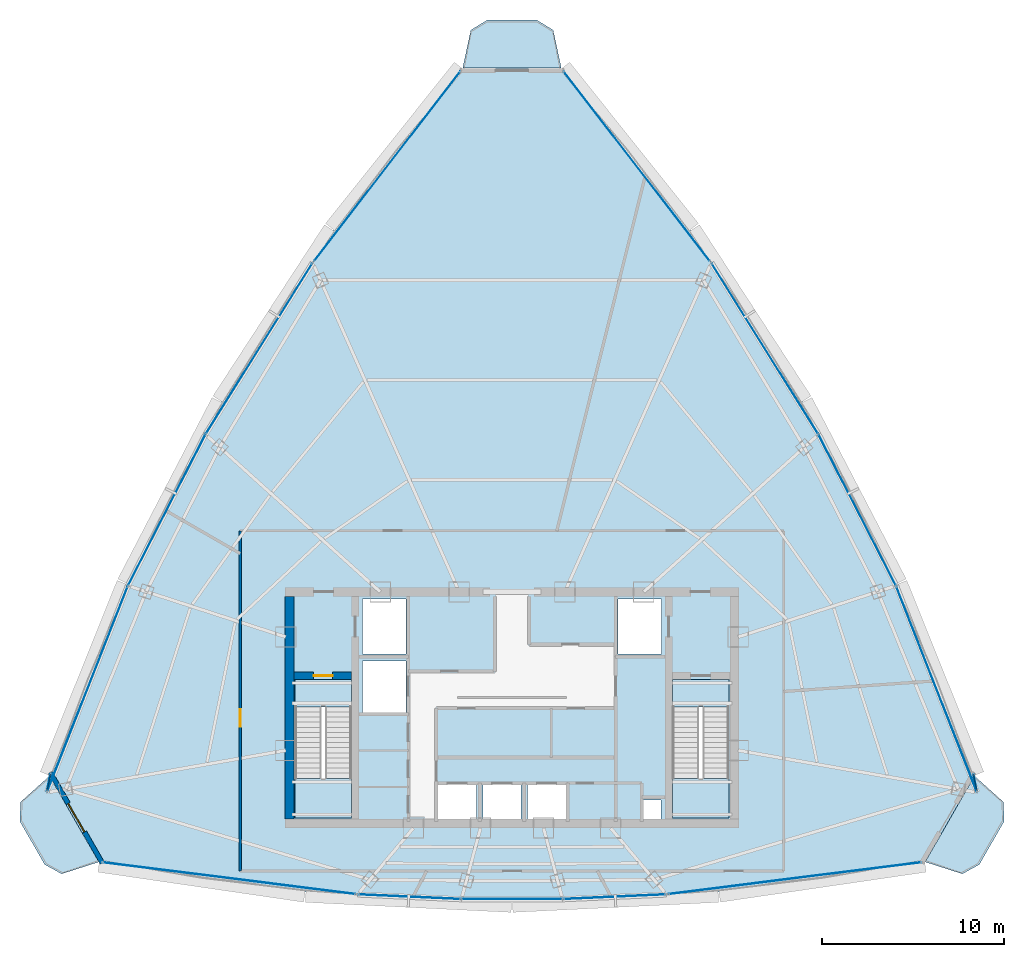
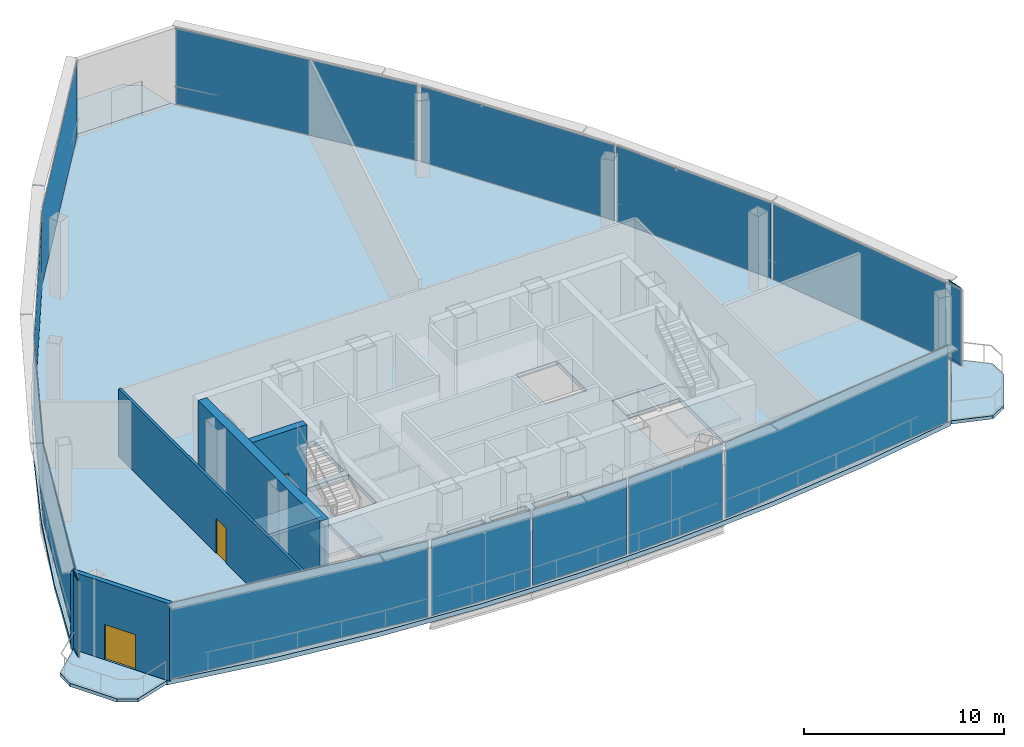
# One storey, part 23 of 29: 15 plates, 8 slabs, 4 members, 4 walls, 3 doors, 3 openings, 17 elements without a shape of their own.
"""IFC4 building model written with IfcOpenShell, lengths in metres."""

from ifc_helpers import new_model, si_unit, direction, frame, frame_2d, origin, origin_with_axes, origin_2d, place, context, subcontext, project, spatial, polyline, rectangle, hollow_rectangle, outline, extrude, source, transform, mapped, material, layer, layer_set, material_profile, profile_set, type_object, element, fill, aggregate, save


model = new_model("IFC4")

# Units and contexts
model_context = context("Model", 3, precision=1e-05, world=origin(), true_north=direction((0.0, 1.0)))
body_context = subcontext(model_context, "Body", "Model", "MODEL_VIEW")
ifc_project = project(units=[si_unit("LENGTHUNIT", "METRE"), si_unit("AREAUNIT", "SQUARE_METRE"), si_unit("VOLUMEUNIT", "CUBIC_METRE"), si_unit("PLANEANGLEUNIT", "RADIAN"), si_unit("MASSUNIT", "GRAM", prefix="KILO"), si_unit("THERMODYNAMICTEMPERATUREUNIT", "KELVIN"), si_unit("POWERUNIT", "WATT")], contexts=[model_context])

# Site, building, storey
site_placement = place(None, origin())
site = spatial("IfcSite", under=ifc_project, at=site_placement, CompositionType="ELEMENT")
building_placement = place(site_placement, origin())
building = spatial("IfcBuilding", under=site, at=building_placement, Name="Yunzhuo Pagoda Commons", CompositionType="ELEMENT")
storey_placement = place(building_placement, frame((0.0, 0.0, 366.760009765625)))
storey = spatial("IfcBuildingStorey", under=building, at=storey_placement, Name="L92", CompositionType="ELEMENT", Elevation=366.760009765625)

# Curtain wall, members
ifc_material_1 = material(Name="Anodized aluminium 6063-T6", Category="aluminium")
ifc_layer_1 = layer(ifc_material_1, 0.139892578125)
ifc_layer_set_1 = layer_set([ifc_layer_1], Name="Anodized aluminium 6063-T6")
curtain_wall_type = type_object("IfcCurtainWallType", Name="CW-HI High-Zone Ribbon Curtain Wall", PredefinedType="NOTDEFINED", material=ifc_layer_set_1)
curtain_wall_1_placement = place(storey_placement, origin())
curtain_wall_1 = element("IfcCurtainWall", 1, at=curtain_wall_1_placement, inside=storey, type_object=curtain_wall_type, Name="L92 curtain wall CW-L92-F2B1", PredefinedType="NOTDEFINED")
ifc_material_profile = material_profile(ifc_material_1, hollow_rectangle(XDim=0.054931640625, YDim=0.1201171875, WallThickness=0.00341796875, at=origin_2d()), Name="Anodized aluminium 6063-T6")
ifc_profile_set = profile_set([ifc_material_profile], Name="Anodized aluminium 6063-T6")
member_type = type_object("IfcMemberType", Name="CW-HI-T Transom RHS 120x55x3.5", PredefinedType="USERDEFINED", material=ifc_profile_set)
shared_shape_1 = source(origin(), body_context, "Body", "SweptSolid", [
    extrude(hollow_rectangle(XDim=0.054931640625, YDim=0.1201171875, WallThickness=0.00341796875, at=origin_2d()), origin(), (0.0, 0.0, 1.0), 0.880615234375),
])
member_1_placement = place(storey_placement, frame((73.2978515625, 30.197265625, 0.027587890625), z_axis=(0.203201413192, -0.979136959611, 0.0), x_axis=(0.979136959611, 0.203201413192, 0.0)))
member_1 = element("IfcMember", 2, at=member_1_placement, type_object=member_type, Name="CW transom 1.1", ObjectType="TRANSOM", PredefinedType="USERDEFINED", context=body_context, shape_type="MappedRepresentation", body=[
    mapped(shared_shape_1, transform((0.0, 0.0, 0.0), scale=1.0)),
])
member_2_placement = place(storey_placement, frame((73.2978515625, 30.197265625, 4.6923828125), z_axis=(0.203201413192, -0.979136959611, 0.0), x_axis=(0.979136959611, 0.203201413192, 0.0)))
member_2 = element("IfcMember", 3, at=member_2_placement, type_object=member_type, Name="CW transom 1.2", ObjectType="TRANSOM", PredefinedType="USERDEFINED", context=body_context, shape_type="MappedRepresentation", body=[
    mapped(shared_shape_1, transform((0.0, 0.0, 0.0), scale=1.0)),
])

curtain_wall_2_placement = place(storey_placement, origin())
curtain_wall_2 = element("IfcCurtainWall", 4, at=curtain_wall_2_placement, inside=storey, type_object=curtain_wall_type, Name="L92 curtain wall CW-L92-F3B5", PredefinedType="NOTDEFINED")
member_3_placement = place(storey_placement, frame((22.523193359375, 29.3349609375, 0.027587890625), z_axis=(0.203201413192, 0.979136959611, 0.0), x_axis=(-0.979136959611, 0.203201413192, 0.0)))
member_3 = element("IfcMember", 5, at=member_3_placement, type_object=member_type, Name="CW transom 1.1", ObjectType="TRANSOM", PredefinedType="USERDEFINED", context=body_context, shape_type="MappedRepresentation", body=[
    mapped(shared_shape_1, transform((0.0, 0.0, 0.0), scale=1.0)),
])
member_4_placement = place(storey_placement, frame((22.523193359375, 29.3349609375, 4.6923828125), z_axis=(0.203201413192, 0.979136959611, 0.0), x_axis=(-0.979136959611, 0.203201413192, 0.0)))
member_4 = element("IfcMember", 6, at=member_4_placement, type_object=member_type, Name="CW transom 1.2", ObjectType="TRANSOM", PredefinedType="USERDEFINED", context=body_context, shape_type="MappedRepresentation", body=[
    mapped(shared_shape_1, transform((0.0, 0.0, 0.0), scale=1.0)),
])

# Slabs
ifc_material_2 = material(Name="Concrete C40", Category="concrete")
ifc_layer_2 = layer(ifc_material_2, 0.199951171875)
ifc_layer_set_2 = layer_set([ifc_layer_2], Name="Concrete C40")
slab_type_1 = type_object("IfcSlabType", Name="SL-BAL Vertex Balcony Deck Slab 200", PredefinedType="FLOOR", material=ifc_layer_set_2)
slab_1_placement = place(storey_placement, frame((0.0, 0.0, -0.199951171875)))
element("IfcSlab", 7, at=slab_1_placement, inside=storey, type_object=slab_type_1, Name="L92 corner balcony V1", PredefinedType="FLOOR", context=body_context, shape_type="SweptSolid", body=[
    extrude(outline(polyline([(22.64453125, 30.1064453125), (25.349609375, 25.3955078125), (23.30859375, 24.74267578125), (22.37939453125, 25.256103515625), (21.027099609375, 27.611572265625), (21.0517578125, 28.673095703125), (22.64453125, 30.1064453125)])), origin(), (0.0, 0.0, 1.0), 0.199951171875),
])
slab_2_placement = place(storey_placement, frame((0.0, 0.0, -0.199951171875)))
element("IfcSlab", 8, at=slab_2_placement, inside=storey, type_object=slab_type_1, Name="L92 corner balcony V2", PredefinedType="FLOOR", context=body_context, shape_type="SweptSolid", body=[
    extrude(outline(polyline([(70.650390625, 25.3955078125), (73.35546875, 30.1064453125), (74.9482421875, 28.673095703125), (74.972900390625, 27.611572265625), (73.62060546875, 25.256103515625), (72.69140625, 24.74267578125), (70.650390625, 25.3955078125)])), origin(), (0.0, 0.0, 1.0), 0.199951171875),
])
slab_3_placement = place(storey_placement, frame((0.0, 0.0, -0.199951171875)))
element("IfcSlab", 9, at=slab_3_placement, inside=storey, type_object=slab_type_1, Name="L92 corner balcony V3", PredefinedType="FLOOR", context=body_context, shape_type="SweptSolid", body=[
    extrude(outline(polyline([(50.704833984375, 68.9091796875), (45.295166015625, 68.9091796875), (45.7451171875, 71.004150390625), (46.6474609375, 71.55419921875), (49.3525390625, 71.55419921875), (50.2548828125, 71.004150390625), (50.704833984375, 68.9091796875)])), origin(), (0.0, 0.0, 1.0), 0.199951171875),
])

# Stair, slabs
stair_type_1 = type_object("IfcStairType", Name="ST-C1 Core Smokeproof Stair ST1", PredefinedType="HALF_TURN_STAIR", material=ifc_material_2)
stair_1_placement = place(storey_placement, origin())
stair_1 = element("IfcStair", 10, at=stair_1_placement, inside=storey, type_object=stair_type_1, Name="L92 Core smokeproof stair ST1", PredefinedType="HALF_TURN_STAIR")
ifc_layer_3 = layer(ifc_material_2, 0.199951171875)
ifc_layer_set_3 = layer_set([ifc_layer_3], Name="Concrete C40")
slab_type_2 = type_object("IfcSlabType", Name="SL-LND1 Stair Landing Slab 200", PredefinedType="LANDING", material=ifc_layer_set_3)
slab_4_placement = place(storey_placement, frame((0.0, 0.0, 2.300048828125)))
slab_4 = element("IfcSlab", 11, at=slab_4_placement, type_object=slab_type_2, Name="ST1 landing 1", PredefinedType="LANDING", context=body_context, shape_type="SweptSolid", body=[
    extrude(outline(polyline([(36.10009765625, 29.97998046875), (36.10009765625, 27.800048828125), (39.199951171875, 27.800048828125), (39.199951171875, 29.97998046875), (36.10009765625, 29.97998046875)])), origin(), (0.0, 0.0, 1.0), 0.199951171875),
])
slab_5_placement = place(storey_placement, frame((0.0, 0.0, -0.199951171875)))
slab_5 = element("IfcSlab", 12, at=slab_5_placement, type_object=slab_type_2, Name="ST1 floor landing L92", PredefinedType="LANDING", context=body_context, shape_type="SweptSolid", body=[
    extrude(outline(polyline([(36.10009765625, 35.39990234375), (36.10009765625, 33.89990234375), (39.199951171875, 33.89990234375), (39.199951171875, 35.39990234375), (36.10009765625, 35.39990234375)])), origin(), (0.0, 0.0, 1.0), 0.199951171875),
])
aggregate(stair_1, [slab_4, slab_5])

stair_type_2 = type_object("IfcStairType", Name="ST-C2 Core Smokeproof Stair ST2", PredefinedType="HALF_TURN_STAIR", material=ifc_material_2)
stair_2_placement = place(storey_placement, origin())
stair_2 = element("IfcStair", 13, at=stair_2_placement, inside=storey, type_object=stair_type_2, Name="L92 Core smokeproof stair ST2", PredefinedType="HALF_TURN_STAIR")
ifc_layer_4 = layer(ifc_material_2, 0.201904296875)
ifc_layer_set_4 = layer_set([ifc_layer_4], Name="Concrete C40")
slab_type_3 = type_object("IfcSlabType", Name="SL-LND2 Stair Landing Slab 202", PredefinedType="LANDING", material=ifc_layer_set_4)
slab_6_placement = place(storey_placement, frame((0.0, 0.0, 2.300048828125)))
slab_6 = element("IfcSlab", 14, at=slab_6_placement, type_object=slab_type_3, Name="ST2 landing 1", PredefinedType="LANDING", context=body_context, shape_type="SweptSolid", body=[
    extrude(outline(polyline([(56.800048828125, 29.97998046875), (56.800048828125, 27.800048828125), (59.89990234375, 27.800048828125), (59.89990234375, 29.97998046875), (56.800048828125, 29.97998046875)])), origin(), (0.0, 0.0, 1.0), 0.199951171875),
])
slab_7_placement = place(storey_placement, frame((0.0, 0.0, -0.199951171875)))
slab_7 = element("IfcSlab", 15, at=slab_7_placement, type_object=slab_type_3, Name="ST2 floor landing L92", PredefinedType="LANDING", context=body_context, shape_type="SweptSolid", body=[
    extrude(outline(polyline([(56.800048828125, 35.39990234375), (56.800048828125, 33.89990234375), (59.89990234375, 33.89990234375), (59.89990234375, 35.39990234375), (56.800048828125, 35.39990234375)])), origin(), (0.0, 0.0, 1.0), 0.199951171875),
])
aggregate(stair_2, [slab_6, slab_7])

# Slab
ifc_layer_5 = layer(ifc_material_2, 0.280029296875)
ifc_layer_set_5 = layer_set([ifc_layer_5], Name="Concrete C40")
slab_type_4 = type_object("IfcSlabType", Name="SL-POD Podium & Refuge Floor Slab 280", PredefinedType="FLOOR", material=ifc_layer_set_5)
slab_8_placement = place(storey_placement, frame((0.0, 0.0, -0.280029296875)))
element("IfcSlab", 16, at=slab_8_placement, inside=storey, type_object=slab_type_4, Name="L92 structural floor slab", PredefinedType="FLOOR", context=body_context, shape_type="SweptSolid", body=[
    extrude(outline(polyline([(24.64697265625, 35.4443359375), (26.8828125, 40.64111328125), (29.356689453125, 45.69873046875), (32.068603515625, 50.61767578125), (35.018310546875, 55.397705078125), (38.2060546875, 60.038818359375), (41.631591796875, 64.541015625), (45.295166015625, 68.904296875), (50.704833984375, 68.904296875), (54.368408203125, 64.541015625), (57.7939453125, 60.038818359375), (60.981689453125, 55.397705078125), (63.931396484375, 50.61767578125), (66.643310546875, 45.69873046875), (69.1171875, 40.64111328125), (71.35302734375, 35.4443359375), (73.35107421875, 30.10888671875), (70.646240234375, 25.39794921875), (64.984619140625, 24.43359375), (59.322998046875, 23.7451171875), (53.66162109375, 23.331787109375), (48.0, 23.194091796875), (42.33837890625, 23.331787109375), (36.677001953125, 23.7451171875), (31.015380859375, 24.43359375), (25.353759765625, 25.39794921875), (22.64892578125, 30.10888671875), (24.64697265625, 35.4443359375)]), holes=[polyline([(56.179931640625, 28.800048828125), (55.179931640625, 28.800048828125), (55.179931640625, 27.699951171875), (56.179931640625, 27.699951171875), (56.179931640625, 28.800048828125)]), polyline([(46.050048828125, 29.64990234375), (43.949951171875, 29.64990234375), (43.949951171875, 27.60009765625), (46.050048828125, 27.60009765625), (46.050048828125, 29.64990234375)]), polyline([(48.5, 29.64990234375), (46.39990234375, 29.64990234375), (46.39990234375, 27.60009765625), (48.5, 27.60009765625), (48.5, 29.64990234375)]), polyline([(50.949951171875, 29.64990234375), (48.85009765625, 29.64990234375), (48.85009765625, 27.60009765625), (50.949951171875, 27.60009765625), (50.949951171875, 29.64990234375)]), polyline([(39.199951171875, 27.800048828125), (39.199951171875, 35.39990234375), (36.10009765625, 35.39990234375), (36.10009765625, 27.800048828125), (39.199951171875, 27.800048828125)]), polyline([(59.89990234375, 27.800048828125), (59.89990234375, 35.39990234375), (56.800048828125, 35.39990234375), (56.800048828125, 27.800048828125), (59.89990234375, 27.800048828125)]), polyline([(42.199951171875, 36.39990234375), (39.800048828125, 36.39990234375), (39.800048828125, 33.60009765625), (42.199951171875, 33.60009765625), (42.199951171875, 36.39990234375)]), polyline([(42.199951171875, 36.800048828125), (42.199951171875, 39.800048828125), (39.800048828125, 39.800048828125), (39.800048828125, 36.800048828125), (42.199951171875, 36.800048828125)]), polyline([(56.199951171875, 36.800048828125), (56.199951171875, 39.800048828125), (53.800048828125, 39.800048828125), (53.800048828125, 36.800048828125), (56.199951171875, 36.800048828125)])]), origin(), (0.0, 0.0, 1.0), 0.280029296875),
])

# Curtain wall, plate
curtain_wall_3_placement = place(storey_placement, origin())
curtain_wall_3 = element("IfcCurtainWall", 17, at=curtain_wall_3_placement, inside=storey, type_object=curtain_wall_type, Name="L92 curtain wall CW-L92-F1B2", PredefinedType="NOTDEFINED")
ifc_material_3 = material(Name="Tempered low-e double glazing", Category="glass")
ifc_layer_6 = layer(ifc_material_3, 0.02587890625)
ifc_layer_set_6 = layer_set([ifc_layer_6], Name="Tempered low-e double glazing")
plate_type = type_object("IfcPlateType", Name="CW-HI-P Low-E Double Glazing 26", PredefinedType="CURTAIN_PANEL", material=ifc_layer_set_6)
shared_shape_2 = source(origin(), body_context, "Body", "SweptSolid", [
    extrude(rectangle(XDim=5.5751953125, YDim=0.028076171875, at=origin_2d()), origin(), (0.0, 0.0, 1.0), 4.610107421875),
])
plate_1_placement = place(storey_placement, frame((42.38427734375, 23.488037109375, 0.05517578125), z_axis=(0.0, 0.0, 1.0), x_axis=(0.998967816025, -0.045423590186, 0.0)))
plate_1 = element("IfcPlate", 18, at=plate_1_placement, type_object=plate_type, Name="CW panel 1.1", PredefinedType="CURTAIN_PANEL", context=body_context, shape_type="MappedRepresentation", body=[
    mapped(shared_shape_2, transform((0.0, 0.0, 0.0), scale=1.0)),
])
aggregate(curtain_wall_3, [plate_1])

curtain_wall_4_placement = place(storey_placement, origin())
curtain_wall_4 = element("IfcCurtainWall", 19, at=curtain_wall_4_placement, inside=storey, type_object=curtain_wall_type, Name="L92 curtain wall CW-L92-F1B4", PredefinedType="NOTDEFINED")
plate_2_placement = place(storey_placement, frame((53.61572265625, 23.488037109375, 0.05517578125), z_axis=(0.0, 0.0, 1.0), x_axis=(0.998967816025, 0.045423590186, 0.0)))
plate_2 = element("IfcPlate", 20, at=plate_2_placement, type_object=plate_type, Name="CW panel 1.1", PredefinedType="CURTAIN_PANEL", context=body_context, shape_type="MappedRepresentation", body=[
    mapped(shared_shape_2, transform((0.0, 0.0, 0.0), scale=1.0)),
])
aggregate(curtain_wall_4, [plate_2])

curtain_wall_5_placement = place(storey_placement, origin())
curtain_wall_5 = element("IfcCurtainWall", 21, at=curtain_wall_5_placement, inside=storey, type_object=curtain_wall_type, Name="L92 curtain wall CW-L92-F1B3", PredefinedType="NOTDEFINED")
shared_shape_3 = source(origin(), body_context, "Body", "SweptSolid", [
    extrude(rectangle(XDim=5.422119140625, YDim=0.028076171875, at=origin_2d()), origin(), (0.0, 0.0, 1.0), 4.610107421875),
])
plate_3_placement = place(storey_placement, frame((48.0, 23.358642578125, 0.05517578125), z_axis=(0.0, 0.0, 1.0), x_axis=(1.0, 0.0, 0.0)))
plate_3 = element("IfcPlate", 22, at=plate_3_placement, type_object=plate_type, Name="CW panel 1.1", PredefinedType="CURTAIN_PANEL", context=body_context, shape_type="MappedRepresentation", body=[
    mapped(shared_shape_3, transform((0.0, 0.0, 0.0), scale=1.0)),
])
aggregate(curtain_wall_5, [plate_3])

curtain_wall_6_placement = place(storey_placement, origin())
curtain_wall_6 = element("IfcCurtainWall", 23, at=curtain_wall_6_placement, inside=storey, type_object=curtain_wall_type, Name="L92 curtain wall CW-L92-F1B1", PredefinedType="NOTDEFINED")
shared_shape_4 = source(origin(), body_context, "Body", "SweptSolid", [
    extrude(rectangle(XDim=13.941162109375, YDim=0.028076171875, at=origin_2d()), origin(), (0.0, 0.0, 1.0), 4.610107421875),
])
plate_4_placement = place(storey_placement, frame((32.489501953125, 24.50341796875, 0.05517578125), z_axis=(0.0, 0.0, 1.0), x_axis=(0.992192960543, -0.124712184848, 0.0)))
plate_4 = element("IfcPlate", 24, at=plate_4_placement, type_object=plate_type, Name="CW panel 1.1", PredefinedType="CURTAIN_PANEL", context=body_context, shape_type="MappedRepresentation", body=[
    mapped(shared_shape_4, transform((0.0, 0.0, 0.0), scale=1.0)),
])
aggregate(curtain_wall_6, [plate_4])

curtain_wall_7_placement = place(storey_placement, origin())
curtain_wall_7 = element("IfcCurtainWall", 25, at=curtain_wall_7_placement, inside=storey, type_object=curtain_wall_type, Name="L92 curtain wall CW-L92-F1B5", PredefinedType="NOTDEFINED")
plate_5_placement = place(storey_placement, frame((63.510498046875, 24.50341796875, 0.05517578125), z_axis=(0.0, 0.0, 1.0), x_axis=(0.992192960543, 0.124712184848, 0.0)))
plate_5 = element("IfcPlate", 26, at=plate_5_placement, type_object=plate_type, Name="CW panel 1.1", PredefinedType="CURTAIN_PANEL", context=body_context, shape_type="MappedRepresentation", body=[
    mapped(shared_shape_4, transform((0.0, 0.0, 0.0), scale=1.0)),
])
aggregate(curtain_wall_7, [plate_5])

curtain_wall_8_placement = place(storey_placement, origin())
curtain_wall_8 = element("IfcCurtainWall", 27, at=curtain_wall_8_placement, inside=storey, type_object=curtain_wall_type, Name="L92 curtain wall CW-L92-F2B2", PredefinedType="NOTDEFINED")
shared_shape_5 = source(origin(), body_context, "Body", "SweptSolid", [
    extrude(rectangle(XDim=12.06005859375, YDim=0.028076171875, at=origin_2d()), origin(), (0.0, 0.0, 1.0), 4.610107421875),
])
plate_6_placement = place(storey_placement, frame((71.278076171875, 34.87158203125, 0.05517578125), z_axis=(0.0, 0.0, 1.0), x_axis=(-0.365521551636, 0.930802876709, 0.0)))
plate_6 = element("IfcPlate", 28, at=plate_6_placement, type_object=plate_type, Name="CW panel 1.1", PredefinedType="CURTAIN_PANEL", context=body_context, shape_type="MappedRepresentation", body=[
    mapped(shared_shape_5, transform((0.0, 0.0, 0.0), scale=1.0)),
])
aggregate(curtain_wall_8, [plate_6])

curtain_wall_9_placement = place(storey_placement, origin())
curtain_wall_9 = element("IfcCurtainWall", 29, at=curtain_wall_9_placement, inside=storey, type_object=curtain_wall_type, Name="L92 curtain wall CW-L92-F3B4", PredefinedType="NOTDEFINED")
plate_7_placement = place(storey_placement, frame((24.721923828125, 34.87158203125, 0.05517578125), z_axis=(0.0, 0.0, 1.0), x_axis=(-0.365521551636, -0.930802876709, 0.0)))
plate_7 = element("IfcPlate", 30, at=plate_7_placement, type_object=plate_type, Name="CW panel 1.1", PredefinedType="CURTAIN_PANEL", context=body_context, shape_type="MappedRepresentation", body=[
    mapped(shared_shape_5, transform((0.0, 0.0, 0.0), scale=1.0)),
])
aggregate(curtain_wall_9, [plate_7])

curtain_wall_10_placement = place(storey_placement, origin())
curtain_wall_10 = element("IfcCurtainWall", 31, at=curtain_wall_10_placement, inside=storey, type_object=curtain_wall_type, Name="L92 curtain wall CW-L92-F2B3", PredefinedType="NOTDEFINED")
shared_shape_6 = source(origin(), body_context, "Body", "SweptSolid", [
    extrude(rectangle(XDim=9.195556640625, YDim=0.028076171875, at=origin_2d()), origin(), (0.0, 0.0, 1.0), 4.610107421875),
])
plate_8_placement = place(storey_placement, frame((66.928466796875, 44.685791015625, 0.05517578125), z_axis=(0.0, 0.0, 1.0), x_axis=(-0.455913203072, 0.890024241954, 0.0)))
plate_8 = element("IfcPlate", 32, at=plate_8_placement, type_object=plate_type, Name="CW panel 1.1", PredefinedType="CURTAIN_PANEL", context=body_context, shape_type="MappedRepresentation", body=[
    mapped(shared_shape_6, transform((0.0, 0.0, 0.0), scale=1.0)),
])
aggregate(curtain_wall_10, [plate_8])

curtain_wall_11_placement = place(storey_placement, origin())
curtain_wall_11 = element("IfcCurtainWall", 33, at=curtain_wall_11_placement, inside=storey, type_object=curtain_wall_type, Name="L92 curtain wall CW-L92-F3B3", PredefinedType="NOTDEFINED")
plate_9_placement = place(storey_placement, frame((29.071533203125, 44.685791015625, 0.05517578125), z_axis=(0.0, 0.0, 1.0), x_axis=(-0.455913203072, -0.890024241954, 0.0)))
plate_9 = element("IfcPlate", 34, at=plate_9_placement, type_object=plate_type, Name="CW panel 1.1", PredefinedType="CURTAIN_PANEL", context=body_context, shape_type="MappedRepresentation", body=[
    mapped(shared_shape_6, transform((0.0, 0.0, 0.0), scale=1.0)),
])
aggregate(curtain_wall_11, [plate_9])

curtain_wall_12_placement = place(storey_placement, origin())
curtain_wall_12 = element("IfcCurtainWall", 35, at=curtain_wall_12_placement, inside=storey, type_object=curtain_wall_type, Name="L92 curtain wall CW-L92-F2B4", PredefinedType="NOTDEFINED")
shared_shape_7 = source(origin(), body_context, "Body", "SweptSolid", [
    extrude(rectangle(XDim=10.974609375, YDim=0.028076171875, at=origin_2d()), origin(), (0.0, 0.0, 1.0), 4.610107421875),
])
plate_10_placement = place(storey_placement, frame((61.865478515625, 53.53564453125, 0.05517578125), z_axis=(0.0, 0.0, 1.0), x_axis=(-0.529908195087, 0.848055012826, 0.0)))
plate_10 = element("IfcPlate", 36, at=plate_10_placement, type_object=plate_type, Name="CW panel 1.1", PredefinedType="CURTAIN_PANEL", context=body_context, shape_type="MappedRepresentation", body=[
    mapped(shared_shape_7, transform((0.0, 0.0, 0.0), scale=1.0)),
])
aggregate(curtain_wall_12, [plate_10])

curtain_wall_13_placement = place(storey_placement, origin())
curtain_wall_13 = element("IfcCurtainWall", 37, at=curtain_wall_13_placement, inside=storey, type_object=curtain_wall_type, Name="L92 curtain wall CW-L92-F3B2", PredefinedType="NOTDEFINED")
plate_11_placement = place(storey_placement, frame((34.134521484375, 53.53564453125, 0.05517578125), z_axis=(0.0, 0.0, 1.0), x_axis=(-0.529908195087, -0.848055012826, 0.0)))
plate_11 = element("IfcPlate", 38, at=plate_11_placement, type_object=plate_type, Name="CW panel 1.1", PredefinedType="CURTAIN_PANEL", context=body_context, shape_type="MappedRepresentation", body=[
    mapped(shared_shape_7, transform((0.0, 0.0, 0.0), scale=1.0)),
])
aggregate(curtain_wall_13, [plate_11])

# Plate
shared_shape_8 = source(origin(), body_context, "Body", "SweptSolid", [
    extrude(rectangle(XDim=0.880615234375, YDim=0.028076171875, at=origin_2d()), origin(), (0.0, 0.0, 1.0), 4.610107421875),
])
plate_12_placement = place(storey_placement, frame((73.387451171875, 29.76611328125, 0.05517578125), z_axis=(0.0, 0.0, 1.0), x_axis=(0.203183915585, -0.979140590747, 0.0)))
plate_12 = element("IfcPlate", 39, at=plate_12_placement, type_object=plate_type, Name="CW panel 1.1", PredefinedType="CURTAIN_PANEL", context=body_context, shape_type="MappedRepresentation", body=[
    mapped(shared_shape_8, transform((0.0, 0.0, 0.0), scale=1.0)),
])

aggregate(curtain_wall_1, [member_1, member_2, plate_12])

plate_13_placement = place(storey_placement, frame((22.612548828125, 29.76611328125, 0.05517578125), z_axis=(0.0, 0.0, 1.0), x_axis=(0.203183915585, 0.979140590747, 0.0)))
plate_13 = element("IfcPlate", 40, at=plate_13_placement, type_object=plate_type, Name="CW panel 1.1", PredefinedType="CURTAIN_PANEL", context=body_context, shape_type="MappedRepresentation", body=[
    mapped(shared_shape_8, transform((0.0, 0.0, 0.0), scale=1.0)),
])

aggregate(curtain_wall_2, [member_3, member_4, plate_13])

# Curtain wall, plate
curtain_wall_14_placement = place(storey_placement, origin())
curtain_wall_14 = element("IfcCurtainWall", 41, at=curtain_wall_14_placement, inside=storey, type_object=curtain_wall_type, Name="L92 curtain wall CW-L92-F2B5", PredefinedType="NOTDEFINED")
shared_shape_9 = source(origin(), body_context, "Body", "SweptSolid", [
    extrude(rectangle(XDim=13.109130859375, YDim=0.028076171875, at=origin_2d()), origin(), (0.0, 0.0, 1.0), 4.610107421875),
])
plate_14_placement = place(storey_placement, frame((54.840087890625, 63.536865234375, 0.05517578125), z_axis=(0.0, 0.0, 1.0), x_axis=(-0.610790049765, 0.791792596017, 0.0)))
plate_14 = element("IfcPlate", 42, at=plate_14_placement, type_object=plate_type, Name="CW panel 1.1", PredefinedType="CURTAIN_PANEL", context=body_context, shape_type="MappedRepresentation", body=[
    mapped(shared_shape_9, transform((0.0, 0.0, 0.0), scale=1.0)),
])
aggregate(curtain_wall_14, [plate_14])

curtain_wall_15_placement = place(storey_placement, origin())
curtain_wall_15 = element("IfcCurtainWall", 43, at=curtain_wall_15_placement, inside=storey, type_object=curtain_wall_type, Name="L92 curtain wall CW-L92-F3B1", PredefinedType="NOTDEFINED")
plate_15_placement = place(storey_placement, frame((41.159912109375, 63.536865234375, 0.05517578125), z_axis=(0.0, 0.0, 1.0), x_axis=(-0.610790049765, -0.791792596017, 0.0)))
plate_15 = element("IfcPlate", 44, at=plate_15_placement, type_object=plate_type, Name="CW panel 1.1", PredefinedType="CURTAIN_PANEL", context=body_context, shape_type="MappedRepresentation", body=[
    mapped(shared_shape_9, transform((0.0, 0.0, 0.0), scale=1.0)),
])
aggregate(curtain_wall_15, [plate_15])

# Wall, opening, door
ifc_material_4 = material(Name="Precast concrete C40", Category="concrete")
ifc_layer_7 = layer(ifc_material_4, 0.260009765625)
ifc_layer_set_7 = layer_set([ifc_layer_7], Name="Precast concrete C40")
wall_type_1 = type_object("IfcWallType", Name="W-BAL1 Corner Balcony Threshold Wall 260", PredefinedType="STANDARD", material=ifc_layer_set_7)
wall_1_placement = place(storey_placement, frame((22.68701171875, 30.3037109375, 0.0), z_axis=(0.0, 0.0, 1.0), x_axis=(0.497922092791, -0.867221764897, 0.0)))
wall_1 = element("IfcWall", 45, at=wall_1_placement, inside=storey, type_object=wall_type_1, Name="L92 corner balcony wall V1", PredefinedType="STANDARD", context=body_context, shape_type="SweptSolid", body=[
    extrude(rectangle(XDim=5.732421875, YDim=0.260009765625, at=frame_2d((2.8662109375, 0.0))), origin(), (0.0, 0.0, 1.0), 4.719970703125),
])
opening_1_placement = place(wall_1_placement, frame((1.966064453125, 0.0, 0.0)))
opening_1 = element("IfcOpeningElement", 46, at=opening_1_placement, cuts=wall_1, Name="Opening D-BAL1", PredefinedType="OPENING", context=body_context, shape_type="SweptSolid", body=[
    extrude(rectangle(XDim=1.800048828125, YDim=2.14990234375, at=frame_2d((0.89990234375, 1.074951171875))), frame((0.0, 0.14013671875, 0.0), z_axis=(0.0, -1.0, 0.0), x_axis=(1.0, 0.0, 0.0)), (0.0, 0.0, 1.0), 0.280029296875),
])
ifc_material_5 = material(Name="Anodized aluminium frame and tempered glazed leaf", Category="aluminium")
door_type_1 = type_object("IfcDoorType", Name="D-BAL1 Corner Balcony Sliding Glazed Door 1800x2150", OperationType="DOUBLE_DOOR_SLIDING", PredefinedType="DOOR", material=ifc_material_5)
shared_shape_10 = source(origin(), body_context, "Body", "SweptSolid", [
    extrude(rectangle(XDim=1.800048828125, YDim=2.14990234375, at=frame_2d((0.89990234375, 1.074951171875))), frame((0.0, 0.02490234375, 0.0), z_axis=(0.0, -1.0, 0.0), x_axis=(1.0, 0.0, 0.0)), (0.0, 0.0, 1.0), 0.050048828125),
])
door_1_placement = place(opening_1_placement, origin_with_axes())
door_1 = element("IfcDoor", 47, at=door_1_placement, inside=storey, type_object=door_type_1, Name="L92 corner balcony sliding door V1", OperationType="DOUBLE_DOOR_SLIDING", OverallHeight=2.14990234375, OverallWidth=1.800048828125, PredefinedType="DOOR", context=body_context, shape_type="MappedRepresentation", body=[
    mapped(shared_shape_10, transform((0.0, 0.0, 0.0), scale=1.0)),
])
fill(opening_1, door_1)

# Wall
ifc_material_6 = material(Name="Concrete C50", Category="concrete")
ifc_layer_8 = layer(ifc_material_6, 0.5)
ifc_layer_set_8 = layer_set([ifc_layer_8], Name="Concrete C50")
wall_type_2 = type_object("IfcWallType", Name="W-C03 Upper Core Shear Wall 500", PredefinedType="SHEAR", material=ifc_layer_set_8)
wall_2_placement = place(storey_placement, frame((35.800048828125, 27.75, 0.0), z_axis=(0.0, 0.0, 1.0), x_axis=(0.0, 1.0, 0.0)))
element("IfcWall", 48, at=wall_2_placement, inside=storey, type_object=wall_type_2, Name="L92 core shear wall W", PredefinedType="SHEAR", context=body_context, shape_type="SweptSolid", body=[
    extrude(rectangle(XDim=12.199951171875, YDim=0.5, at=frame_2d((6.10009765625, 0.0))), origin(), (0.0, 0.0, 1.0), 4.719970703125),
])

# Wall, opening, door
ifc_material_7 = material(Name="Gypsum plasterboard on acoustic stud")
ifc_layer_9 = layer(ifc_material_7, 0.14990234375)
ifc_layer_set_9 = layer_set([ifc_layer_9], Name="Gypsum plasterboard on acoustic stud")
wall_type_3 = type_object("IfcWallType", Name="W-COR3 High-Zone Rated Corridor Wall 150", PredefinedType="PARTITIONING", material=ifc_layer_set_9)
wall_3_placement = place(storey_placement, frame((33.10009765625, 43.550048828125, 0.0), z_axis=(0.0, 0.0, 1.0), x_axis=(0.0, -1.0, 0.0)))
wall_3 = element("IfcWall", 49, at=wall_3_placement, inside=storey, type_object=wall_type_3, Name="L92 interior wall IW-L92-SCW04", PredefinedType="PARTITIONING", context=body_context, shape_type="SweptSolid", body=[
    extrude(rectangle(XDim=18.650146484375, YDim=0.14990234375, at=frame_2d((9.3251953125, 0.0))), origin(), (0.0, 0.0, 1.0), 4.119873046875),
])
opening_2_placement = place(wall_3_placement, frame((9.773681640625, 0.0, 0.0)))
opening_2 = element("IfcOpeningElement", 50, at=opening_2_placement, cuts=wall_3, Name="Opening D-08", PredefinedType="OPENING", context=body_context, shape_type="SweptSolid", body=[
    extrude(rectangle(XDim=0.97998046875, YDim=2.1201171875, at=frame_2d((0.489990234375, 1.06005859375))), frame((0.0, 0.0849609375, 0.0), z_axis=(0.0, -1.0, 0.0), x_axis=(1.0, 0.0, 0.0)), (0.0, 0.0, 1.0), 0.169921875),
])
ifc_material_8 = material(Name="Galvanized fire-resisting metal leaf")
door_type_2 = type_object("IfcDoorType", Name="D-08 High-Zone Suite Entrance Fire Door 980x2120", OperationType="NOTDEFINED", PredefinedType="DOOR", material=ifc_material_8)
shared_shape_11 = source(origin(), body_context, "Body", "SweptSolid", [
    extrude(rectangle(XDim=0.97998046875, YDim=2.1201171875, at=frame_2d((0.489990234375, 1.06005859375))), frame((0.0, 0.02490234375, 0.0), z_axis=(0.0, -1.0, 0.0), x_axis=(1.0, 0.0, 0.0)), (0.0, 0.0, 1.0), 0.050048828125),
])
door_2_placement = place(opening_2_placement, origin_with_axes())
door_2 = element("IfcDoor", 51, at=door_2_placement, inside=storey, type_object=door_type_2, Name="L92 Shared Summit Kitchen and Pantry door", OperationType="SINGLE_SWING_LEFT", OverallHeight=2.1201171875, OverallWidth=0.97998046875, PredefinedType="DOOR", context=body_context, shape_type="MappedRepresentation", body=[
    mapped(shared_shape_11, transform((0.0, 0.0, 0.0), scale=1.0)),
])
fill(opening_2, door_2)

ifc_material_9 = material(Name="Concrete C60", Category="concrete")
ifc_layer_10 = layer(ifc_material_9, 0.39990234375)
ifc_layer_set_10 = layer_set([ifc_layer_10], Name="Concrete C60")
wall_type_4 = type_object("IfcWallType", Name="W-S01 Internal Core Shear Web 400", PredefinedType="SHEAR", material=ifc_layer_set_10)
wall_4_placement = place(storey_placement, frame((36.050048828125, 35.60009765625, 0.0), z_axis=(0.0, 0.0, 1.0), x_axis=(1.0, 0.0, 0.0)))
wall_4 = element("IfcWall", 52, at=wall_4_placement, inside=storey, type_object=wall_type_4, Name="L92 core shear wall STW", PredefinedType="SHEAR", context=body_context, shape_type="SweptSolid", body=[
    extrude(rectangle(XDim=3.14990234375, YDim=0.39990234375, at=frame_2d((1.574951171875, 0.0))), origin(), (0.0, 0.0, 1.0), 4.719970703125),
])
opening_3_placement = place(wall_4_placement, frame((1.070068359375, 0.0, 0.0)))
opening_3 = element("IfcOpeningElement", 53, at=opening_3_placement, cuts=wall_4, Name="Opening D-01", PredefinedType="OPENING", context=body_context, shape_type="SweptSolid", body=[
    extrude(rectangle(XDim=1.050048828125, YDim=2.10009765625, at=frame_2d((0.52490234375, 1.050048828125))), frame((0.0, 0.2099609375, 0.0), z_axis=(0.0, -1.0, 0.0), x_axis=(1.0, 0.0, 0.0)), (0.0, 0.0, 1.0), 0.419921875),
])
door_type_3 = type_object("IfcDoorType", Name="D-01 Smokeproof Stair Fire Door 1050x2100", OperationType="NOTDEFINED", PredefinedType="DOOR", material=ifc_material_8)
shared_shape_12 = source(origin(), body_context, "Body", "SweptSolid", [
    extrude(rectangle(XDim=1.050048828125, YDim=2.10009765625, at=frame_2d((0.52490234375, 1.050048828125))), frame((0.0, 0.02490234375, 0.0), z_axis=(0.0, -1.0, 0.0), x_axis=(1.0, 0.0, 0.0)), (0.0, 0.0, 1.0), 0.050048828125),
])
door_3_placement = place(opening_3_placement, frame((1.050048828125, 0.0, 0.0), z_axis=(0.0, 0.0, 1.0), x_axis=(-1.0, 0.0, 0.0)))
door_3 = element("IfcDoor", 54, at=door_3_placement, inside=storey, type_object=door_type_3, Name="L92 Stair ST1 fire door", OperationType="SINGLE_SWING_LEFT", OverallHeight=2.10009765625, OverallWidth=1.050048828125, PredefinedType="DOOR", context=body_context, shape_type="MappedRepresentation", body=[
    mapped(shared_shape_12, transform((0.0, 0.0, 0.0), scale=1.0)),
])
fill(opening_3, door_3)

save(model, "model.ifc")
